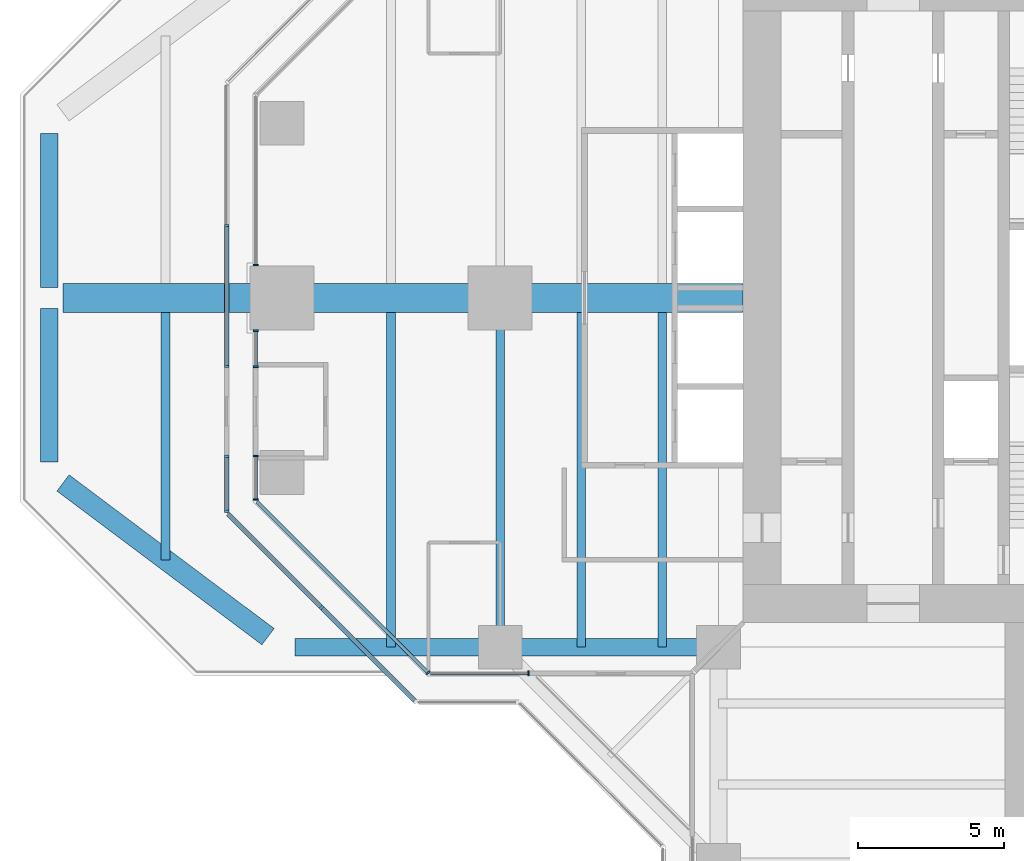
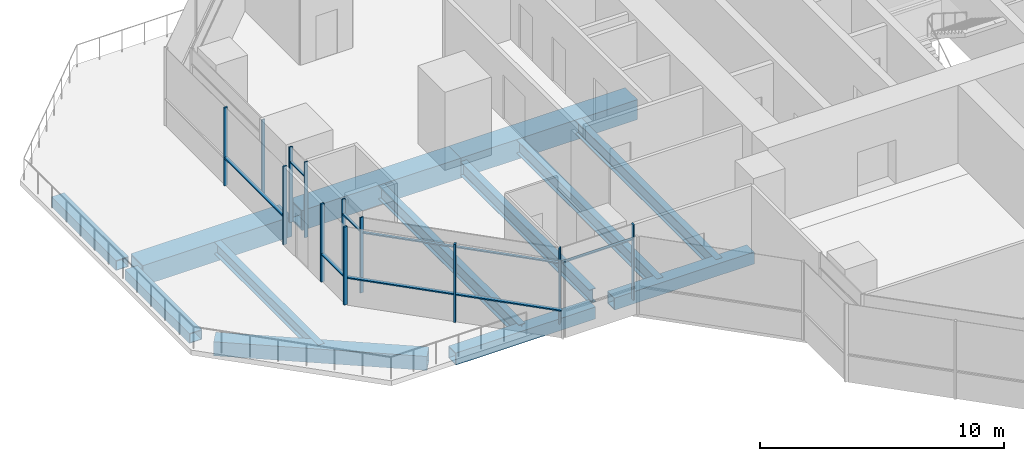
# One storey, part 3 of 19: 20 members, 13 beams, 8 elements without a shape of their own.
"""IFC4 building model written with IfcOpenShell, lengths in metres."""

from ifc_helpers import new_model, si_unit, direction, frame, origin, origin_2d, place, context, subcontext, project, spatial, rectangle, hollow_rectangle, i_section, extrude, material, material_profile, profile_set, type_object, element, aggregate, save


model = new_model("IFC4")

# Units and contexts
model_context = context("Model", 3, precision=1e-05, world=origin(), true_north=direction((0.0, 1.0)))
body_context = subcontext(model_context, "Body", "Model", "MODEL_VIEW")
ifc_project = project(units=[si_unit("LENGTHUNIT", "METRE"), si_unit("AREAUNIT", "SQUARE_METRE"), si_unit("VOLUMEUNIT", "CUBIC_METRE"), si_unit("PLANEANGLEUNIT", "RADIAN"), si_unit("MASSUNIT", "GRAM", prefix="KILO")], contexts=[model_context])

# Site, building, storey
site_placement = place(None, origin())
site = spatial("IfcSite", under=ifc_project, at=site_placement, CompositionType="ELEMENT")
building_placement = place(site_placement, origin())
building = spatial("IfcBuilding", under=site, at=building_placement, Name="Mizan Broadcast Tower", CompositionType="ELEMENT")
storey_placement = place(building_placement, frame((0.0, 0.0, 204.89990234375)))
storey = spatial("IfcBuildingStorey", under=building, at=storey_placement, Name="L47", CompositionType="ELEMENT", Elevation=204.89990234375)

# Beams
ifc_material_1 = material(Name="Steel S355", Category="steel")
ifc_material_profile_1 = material_profile(ifc_material_1, hollow_rectangle(XDim=0.60009765625, YDim=0.5, WallThickness=0.030029296875, at=origin_2d()), Name="BOX 500x600x30")
ifc_profile_set_1 = profile_set([ifc_material_profile_1], Name="Steel S355")
beam_type_1 = type_object("IfcBeamType", Name="EDGE BEAM BOX 500x600x30", PredefinedType="SPANDREL", material=ifc_profile_set_1)
for number, where, z_axis, x_axis, name in (
    (1, (-35.0, 5.639892578125, -0.5), (0.0, -1.0, 0.0), (1.0, 0.0, 0.0), "Edge beam BOX 500x600x30 L47 west arm"),
    (2, (-35.0, -5.639892578125, -0.5), (0.0, 1.0, 0.0), (-1.0, 0.0, 0.0), "Edge beam BOX 500x600x30 L47 west arm"),
):
    element("IfcBeam", number, at=place(storey_placement, frame(where, z_axis=z_axis, x_axis=x_axis)), inside=storey, type_object=beam_type_1, Name=name, PredefinedType="SPANDREL", context=body_context, shape_type="SweptSolid", body=[
        extrude(hollow_rectangle(XDim=0.60009765625, YDim=0.5, WallThickness=0.030029296875, at=origin_2d()), origin(), (0.0, 0.0, 1.0), 5.27978515625),
    ])
ifc_material_2 = material(Name="Steel S355", Category="steel")
ifc_material_profile_2 = material_profile(ifc_material_2, hollow_rectangle(XDim=0.60009765625, YDim=0.60009765625, WallThickness=0.0400390625, at=origin_2d()), Name="BOX 600x600x40")
ifc_profile_set_2 = profile_set([ifc_material_profile_2], Name="Steel S355")
beam_type_2 = type_object("IfcBeamType", Name="EDGE BEAM BOX 600x600x40", PredefinedType="SPANDREL", material=ifc_profile_set_2)
for number, where, z_axis, x_axis, name in (
    (3, (-12.449951171875, -12.0, -0.429931640625), (-1.0, 0.0, 0.0), (0.0, -1.0, 0.0), "Edge beam BOX 600x600x40 L47 west arm"),
    (4, (-19.949951171875, -12.0, -0.5498046875), (-1.0, 0.0, 0.0), (0.0, -1.0, 0.0), "Edge beam BOX 600x600x40 L47 west arm"),
):
    element("IfcBeam", number, at=place(storey_placement, frame(where, z_axis=z_axis, x_axis=x_axis)), inside=storey, type_object=beam_type_2, Name=name, PredefinedType="SPANDREL", context=body_context, shape_type="SweptSolid", body=[
        extrude(hollow_rectangle(XDim=0.60009765625, YDim=0.60009765625, WallThickness=0.0400390625, at=origin_2d()), origin(), (0.0, 0.0, 1.0), 6.60009765625),
    ])
ifc_material_3 = material(Name="Steel S355", Category="steel")
ifc_material_profile_3 = material_profile(ifc_material_3, hollow_rectangle(XDim=0.699951171875, YDim=0.699951171875, WallThickness=0.0400390625, at=origin_2d()), Name="BOX 700x700x40")
ifc_profile_set_3 = profile_set([ifc_material_profile_3], Name="Steel S355")
beam_type_3 = type_object("IfcBeamType", Name="EDGE BEAM BOX 700x700x40", PredefinedType="SPANDREL", material=ifc_profile_set_3)
beam_1_placement = place(storey_placement, frame((-27.47998046875, -11.639892578125, -0.599853515625), z_axis=(-0.800013316712, 0.599982243973, 0.0), x_axis=(-0.599982243973, -0.800013316712, 0.0)))
element("IfcBeam", 5, at=beam_1_placement, inside=storey, type_object=beam_type_3, Name="Edge beam BOX 700x700x40 L47 west arm", PredefinedType="SPANDREL", context=body_context, shape_type="SweptSolid", body=[
    extrude(hollow_rectangle(XDim=0.699951171875, YDim=0.699951171875, WallThickness=0.0400390625, at=origin_2d()), origin(), (0.0, 0.0, 1.0), 8.7998046875),
])
ifc_material_4 = material(Name="Steel S460", Category="steel")
ifc_material_profile_4 = material_profile(ifc_material_4, hollow_rectangle(XDim=1.0, YDim=1.0, WallThickness=0.080078125, at=origin_2d()), Name="BOX 1000x1000x80")
ifc_profile_set_4 = profile_set([ifc_material_profile_4], Name="Steel S460")
beam_type_4 = type_object("IfcBeamType", Name="GIRDER BOX 1000x1000x80", PredefinedType="BEAM", material=ifc_profile_set_4)
beam_2_placement = place(storey_placement, frame((-27.47998046875, 0.0, -0.75), z_axis=(-1.0, 0.0, 0.0), x_axis=(0.0, -1.0, 0.0)))
element("IfcBeam", 6, at=beam_2_placement, inside=storey, type_object=beam_type_4, Name="Girder BOX 1000x1000x80 L47 west arm", PredefinedType="BEAM", context=body_context, shape_type="SweptSolid", body=[
    extrude(hollow_rectangle(XDim=1.0, YDim=1.0, WallThickness=0.080078125, at=origin_2d()), origin(), (0.0, 0.0, 1.0), 7.0400390625),
])
ifc_material_5 = material(Name="Steel S355", Category="steel")
ifc_material_profile_5 = material_profile(ifc_material_5, i_section(OverallWidth=0.300048828125, OverallDepth=0.68994140625, WebThickness=0.014404296875, FlangeThickness=0.027099609375, FilletRadius=0.027099609375, at=origin_2d()), Name="HEA 700")
ifc_profile_set_5 = profile_set([ifc_material_profile_5], Name="Steel S355")
beam_type_5 = type_object("IfcBeamType", Name="GIRDER HEA 700", PredefinedType="BEAM", material=ifc_profile_set_5)
beam_3_placement = place(storey_placement, frame((-19.5, -11.280029296875, -0.474853515625), z_axis=(0.0, 1.0, 0.0), x_axis=(-1.0, 0.0, 0.0)))
element("IfcBeam", 7, at=beam_3_placement, inside=storey, type_object=beam_type_5, Name="Girder HEA 700 L47 west arm", PredefinedType="BEAM", context=body_context, shape_type="SweptSolid", body=[
    extrude(i_section(OverallWidth=0.300048828125, OverallDepth=0.68994140625, WebThickness=0.014404296875, FlangeThickness=0.027099609375, FilletRadius=0.027099609375, at=origin_2d()), origin(), (0.0, 0.0, 1.0), 10.56005859375),
])

# Curtain wall, member
ifc_material_6 = material(Name="Aluminium framed glazing", Category="aluminium")
curtain_wall_type_1 = type_object("IfcCurtainWallType", Name="INNER SKIN HIGH ZONE", PredefinedType="USERDEFINED", material=ifc_material_6)
curtain_wall_1_placement = place(storey_placement, origin())
curtain_wall_1 = element("IfcCurtainWall", 8, at=curtain_wall_1_placement, inside=storey, type_object=curtain_wall_type_1, Name="Inner skin high zone L47 W end", ObjectType="INNER SKIN HIGH ZONE", PredefinedType="USERDEFINED")
ifc_material_7 = material(Name="Aluminium, pale anodised", Category="aluminium")
ifc_material_profile_6 = material_profile(ifc_material_7, rectangle(XDim=0.159912109375, YDim=0.06005859375, at=origin_2d()), Name="MULLION 160x60")
ifc_profile_set_6 = profile_set([ifc_material_profile_6], Name="Aluminium, pale anodised")
member_type_1 = type_object("IfcMemberType", Name="INNER SKIN MULLION 60x160", PredefinedType="MULLION", material=ifc_profile_set_6)
member_1_placement = place(storey_placement, frame((-27.89990234375, 1.1298828125, 0.0), z_axis=(0.0, 0.0, 1.0), x_axis=(1.0, 0.0, 0.0)))
member_1 = element("IfcMember", 9, at=member_1_placement, type_object=member_type_1, Name="Inner skin high zone L47 W end mullion 2", PredefinedType="MULLION", context=body_context, shape_type="SweptSolid", body=[
    extrude(rectangle(XDim=0.159912109375, YDim=0.06005859375, at=origin_2d()), origin(), (0.0, 0.0, 1.0), 3.77001953125),
])
aggregate(curtain_wall_1, [member_1])

# Curtain wall, members
curtain_wall_2_placement = place(storey_placement, origin())
curtain_wall_2 = element("IfcCurtainWall", 10, at=curtain_wall_2_placement, inside=storey, type_object=curtain_wall_type_1, Name="Inner skin high zone L47 W end", ObjectType="INNER SKIN HIGH ZONE", PredefinedType="USERDEFINED")
member_2_placement = place(storey_placement, frame((-27.89990234375, -1.1298828125, 0.0), z_axis=(0.0, 0.0, 1.0), x_axis=(1.0, 0.0, 0.0)))
member_2 = element("IfcMember", 11, at=member_2_placement, type_object=member_type_1, Name="Inner skin high zone L47 W end mullion 1", PredefinedType="MULLION", context=body_context, shape_type="SweptSolid", body=[
    extrude(rectangle(XDim=0.159912109375, YDim=0.06005859375, at=origin_2d()), origin(), (0.0, 0.0, 1.0), 3.77001953125),
])
member_3_placement = place(storey_placement, frame((-27.89990234375, -2.3701171875, 0.0), z_axis=(0.0, 0.0, 1.0), x_axis=(1.0, 0.0, 0.0)))
member_3 = element("IfcMember", 12, at=member_3_placement, type_object=member_type_1, Name="Inner skin high zone L47 W end mullion 2", PredefinedType="MULLION", context=body_context, shape_type="SweptSolid", body=[
    extrude(rectangle(XDim=0.159912109375, YDim=0.06005859375, at=origin_2d()), origin(), (0.0, 0.0, 1.0), 3.77001953125),
])

curtain_wall_3_placement = place(storey_placement, origin())
curtain_wall_3 = element("IfcCurtainWall", 13, at=curtain_wall_3_placement, inside=storey, type_object=curtain_wall_type_1, Name="Inner skin high zone L47 W end", ObjectType="INNER SKIN HIGH ZONE", PredefinedType="USERDEFINED")
member_4_placement = place(storey_placement, frame((-27.89990234375, -5.429931640625, 0.0), z_axis=(0.0, 0.0, 1.0), x_axis=(1.0, 0.0, 0.0)))
member_4 = element("IfcMember", 14, at=member_4_placement, type_object=member_type_1, Name="Inner skin high zone L47 W end mullion 1", PredefinedType="MULLION", context=body_context, shape_type="SweptSolid", body=[
    extrude(rectangle(XDim=0.159912109375, YDim=0.06005859375, at=origin_2d()), origin(), (0.0, 0.0, 1.0), 3.77001953125),
])
member_5_placement = place(storey_placement, frame((-27.89990234375, -6.928466796875, 0.0), z_axis=(0.0, 0.0, 1.0), x_axis=(1.0, 0.0, 0.0)))
member_5 = element("IfcMember", 15, at=member_5_placement, type_object=member_type_1, Name="Inner skin high zone L47 W end mullion 2", PredefinedType="MULLION", context=body_context, shape_type="SweptSolid", body=[
    extrude(rectangle(XDim=0.159912109375, YDim=0.06005859375, at=origin_2d()), origin(), (0.0, 0.0, 1.0), 3.77001953125),
])

# Curtain wall, member
curtain_wall_4_placement = place(storey_placement, origin())
curtain_wall_4 = element("IfcCurtainWall", 16, at=curtain_wall_4_placement, inside=storey, type_object=curtain_wall_type_1, Name="Inner skin high zone L47 W chamfer", ObjectType="INNER SKIN HIGH ZONE", PredefinedType="USERDEFINED")
member_6_placement = place(storey_placement, frame((-21.979736328125, -12.87890625, 0.0), z_axis=(0.0, 0.0, 1.0), x_axis=(0.707106781187, 0.707106781187, 0.0)))
member_6 = element("IfcMember", 17, at=member_6_placement, type_object=member_type_1, Name="Inner skin high zone L47 W chamfer mullion 2", PredefinedType="MULLION", context=body_context, shape_type="SweptSolid", body=[
    extrude(rectangle(XDim=0.159912109375, YDim=0.06005859375, at=origin_2d()), origin(), (0.0, 0.0, 1.0), 3.77001953125),
])

curtain_wall_5_placement = place(storey_placement, origin())
curtain_wall_5 = element("IfcCurtainWall", 18, at=curtain_wall_5_placement, inside=storey, type_object=curtain_wall_type_1, Name="Inner skin high zone L47 W side", ObjectType="INNER SKIN HIGH ZONE", PredefinedType="USERDEFINED")
member_7_placement = place(storey_placement, frame((-18.530029296875, -12.89990234375, 0.0), z_axis=(0.0, 0.0, 1.0), x_axis=(0.0, 1.0, 0.0)))
member_7 = element("IfcMember", 19, at=member_7_placement, type_object=member_type_1, Name="Inner skin high zone L47 W side mullion 2", PredefinedType="MULLION", context=body_context, shape_type="SweptSolid", body=[
    extrude(rectangle(XDim=0.159912109375, YDim=0.06005859375, at=origin_2d()), origin(), (0.0, 0.0, 1.0), 3.77001953125),
])

# Member
ifc_material_8 = material(Name="Aluminium, pale anodised", Category="aluminium")
ifc_material_profile_7 = material_profile(ifc_material_8, rectangle(XDim=0.1201171875, YDim=0.06005859375, at=origin_2d()), Name="TRANSOM 120x60")
ifc_profile_set_7 = profile_set([ifc_material_profile_7], Name="Aluminium, pale anodised")
member_type_2 = type_object("IfcMemberType", Name="INNER SKIN TRANSOM 60x120", PredefinedType="USERDEFINED", material=ifc_profile_set_7)
member_8_placement = place(storey_placement, frame((-27.89990234375, -1.159912109375, 3.030029296875), z_axis=(0.0, -1.0, 0.0), x_axis=(1.0, 0.0, 0.0)))
member_8 = element("IfcMember", 20, at=member_8_placement, type_object=member_type_2, Name="Inner skin high zone L47 W end transom 1.1", ObjectType="TRANSOM", PredefinedType="USERDEFINED", context=body_context, shape_type="SweptSolid", body=[
    extrude(rectangle(XDim=0.1201171875, YDim=0.06005859375, at=origin_2d()), origin(), (0.0, 0.0, 1.0), 1.18017578125),
])

aggregate(curtain_wall_2, [member_2, member_3, member_8])

member_9_placement = place(storey_placement, frame((-27.89990234375, -5.4599609375, 3.030029296875), z_axis=(0.0, -1.0, 0.0), x_axis=(1.0, 0.0, 0.0)))
member_9 = element("IfcMember", 21, at=member_9_placement, type_object=member_type_2, Name="Inner skin high zone L47 W end transom 1.1", ObjectType="TRANSOM", PredefinedType="USERDEFINED", context=body_context, shape_type="SweptSolid", body=[
    extrude(rectangle(XDim=0.1201171875, YDim=0.06005859375, at=origin_2d()), origin(), (0.0, 0.0, 1.0), 1.438720703125),
])

aggregate(curtain_wall_3, [member_4, member_5, member_9])

member_10_placement = place(storey_placement, frame((-27.857666015625, -7.0009765625, 3.030029296875), z_axis=(0.707106781187, -0.707106781187, 0.0), x_axis=(0.707106781187, 0.707106781187, 0.0)))
member_10 = element("IfcMember", 22, at=member_10_placement, type_object=member_type_2, Name="Inner skin high zone L47 W chamfer transom 1.1", ObjectType="TRANSOM", PredefinedType="USERDEFINED", context=body_context, shape_type="SweptSolid", body=[
    extrude(rectangle(XDim=0.1201171875, YDim=0.06005859375, at=origin_2d()), origin(), (0.0, 0.0, 1.0), 8.28271484375),
])

aggregate(curtain_wall_4, [member_6, member_10])

member_11_placement = place(storey_placement, frame((-21.898681640625, -12.89990234375, 3.030029296875), z_axis=(1.0, 0.0, 0.0), x_axis=(0.0, 1.0, 0.0)))
member_11 = element("IfcMember", 23, at=member_11_placement, type_object=member_type_2, Name="Inner skin high zone L47 W side transom 1.1", ObjectType="TRANSOM", PredefinedType="USERDEFINED", context=body_context, shape_type="SweptSolid", body=[
    extrude(rectangle(XDim=0.1201171875, YDim=0.06005859375, at=origin_2d()), origin(), (0.0, 0.0, 1.0), 3.338623046875),
])

aggregate(curtain_wall_5, [member_7, member_11])

# Curtain wall, members
ifc_material_9 = material(Name="Aluminium framed glazing", Category="aluminium")
curtain_wall_type_2 = type_object("IfcCurtainWallType", Name="OUTER SKIN", PredefinedType="USERDEFINED", material=ifc_material_9)
curtain_wall_6_placement = place(storey_placement, origin())
curtain_wall_6 = element("IfcCurtainWall", 24, at=curtain_wall_6_placement, inside=storey, type_object=curtain_wall_type_2, Name="Outer skin L47 W end", ObjectType="OUTER SKIN", PredefinedType="USERDEFINED")
ifc_material_10 = material(Name="Aluminium, pale anodised", Category="aluminium")
ifc_material_profile_8 = material_profile(ifc_material_10, rectangle(XDim=0.159912109375, YDim=0.080078125, at=origin_2d()), Name="MULLION 160x80")
ifc_profile_set_8 = profile_set([ifc_material_profile_8], Name="Aluminium, pale anodised")
member_type_3 = type_object("IfcMemberType", Name="OUTER SKIN MULLION 80x160", PredefinedType="MULLION", material=ifc_profile_set_8)
member_12_placement = place(storey_placement, frame((-28.89990234375, 2.486328125, 0.0), z_axis=(0.0, 0.0, 1.0), x_axis=(1.0, 0.0, 0.0)))
member_12 = element("IfcMember", 25, at=member_12_placement, type_object=member_type_3, Name="Outer skin L47 W end mullion 2", PredefinedType="MULLION", context=body_context, shape_type="SweptSolid", body=[
    extrude(rectangle(XDim=0.159912109375, YDim=0.080078125, at=origin_2d()), origin(), (0.0, 0.0, 1.0), 3.900146484375),
])
member_13_placement = place(storey_placement, frame((-28.89990234375, -2.360107421875, 0.0), z_axis=(0.0, 0.0, 1.0), x_axis=(1.0, 0.0, 0.0)))
member_13 = element("IfcMember", 26, at=member_13_placement, type_object=member_type_3, Name="Outer skin L47 W end mullion 3", PredefinedType="MULLION", context=body_context, shape_type="SweptSolid", body=[
    extrude(rectangle(XDim=0.159912109375, YDim=0.080078125, at=origin_2d()), origin(), (0.0, 0.0, 1.0), 3.900146484375),
])

curtain_wall_7_placement = place(storey_placement, origin())
curtain_wall_7 = element("IfcCurtainWall", 27, at=curtain_wall_7_placement, inside=storey, type_object=curtain_wall_type_2, Name="Outer skin L47 W end", ObjectType="OUTER SKIN", PredefinedType="USERDEFINED")
member_14_placement = place(storey_placement, frame((-28.89990234375, -5.43994140625, 0.0), z_axis=(0.0, 0.0, 1.0), x_axis=(1.0, 0.0, 0.0)))
member_14 = element("IfcMember", 28, at=member_14_placement, type_object=member_type_3, Name="Outer skin L47 W end mullion 1", PredefinedType="MULLION", context=body_context, shape_type="SweptSolid", body=[
    extrude(rectangle(XDim=0.159912109375, YDim=0.080078125, at=origin_2d()), origin(), (0.0, 0.0, 1.0), 3.900146484375),
])
member_15_placement = place(storey_placement, frame((-28.89990234375, -7.332763671875, 0.0), z_axis=(0.0, 0.0, 1.0), x_axis=(1.0, 0.0, 0.0)))
member_15 = element("IfcMember", 29, at=member_15_placement, type_object=member_type_3, Name="Outer skin L47 W end mullion 2", PredefinedType="MULLION", context=body_context, shape_type="SweptSolid", body=[
    extrude(rectangle(XDim=0.159912109375, YDim=0.080078125, at=origin_2d()), origin(), (0.0, 0.0, 1.0), 3.900146484375),
])

# Curtain wall, member
curtain_wall_8_placement = place(storey_placement, origin())
curtain_wall_8 = element("IfcCurtainWall", 30, at=curtain_wall_8_placement, inside=storey, type_object=curtain_wall_type_2, Name="Outer skin L47 W chamfer", ObjectType="OUTER SKIN", PredefinedType="USERDEFINED")
member_16_placement = place(storey_placement, frame((-25.636474609375, -10.636474609375, 0.0), z_axis=(0.0, 0.0, 1.0), x_axis=(0.707106781187, 0.707106781187, 0.0)))
member_16 = element("IfcMember", 31, at=member_16_placement, type_object=member_type_3, Name="Outer skin L47 W chamfer mullion 2", PredefinedType="MULLION", context=body_context, shape_type="SweptSolid", body=[
    extrude(rectangle(XDim=0.159912109375, YDim=0.080078125, at=origin_2d()), origin(), (0.0, 0.0, 1.0), 3.900146484375),
])

# Member
ifc_material_11 = material(Name="Aluminium, pale anodised", Category="aluminium")
ifc_material_profile_9 = material_profile(ifc_material_11, rectangle(XDim=0.159912109375, YDim=0.06005859375, at=origin_2d()), Name="TRANSOM 160x60")
ifc_profile_set_9 = profile_set([ifc_material_profile_9], Name="Aluminium, pale anodised")
member_type_4 = type_object("IfcMemberType", Name="OUTER SKIN TRANSOM 60x160", PredefinedType="USERDEFINED", material=ifc_profile_set_9)
member_17_placement = place(storey_placement, frame((-28.89990234375, 2.4462890625, 1.400146484375), z_axis=(0.0, -1.0, 0.0), x_axis=(1.0, 0.0, 0.0)))
member_17 = element("IfcMember", 32, at=member_17_placement, type_object=member_type_4, Name="Outer skin L47 W end transom 2.1", ObjectType="TRANSOM", PredefinedType="USERDEFINED", context=body_context, shape_type="SweptSolid", body=[
    extrude(rectangle(XDim=0.159912109375, YDim=0.06005859375, at=origin_2d()), origin(), (0.0, 0.0, 1.0), 4.766357421875),
])

aggregate(curtain_wall_6, [member_12, member_13, member_17])

member_18_placement = place(storey_placement, frame((-28.89990234375, -5.47998046875, 1.400146484375), z_axis=(0.0, -1.0, 0.0), x_axis=(1.0, 0.0, 0.0)))
member_18 = element("IfcMember", 33, at=member_18_placement, type_object=member_type_4, Name="Outer skin L47 W end transom 1.1", ObjectType="TRANSOM", PredefinedType="USERDEFINED", context=body_context, shape_type="SweptSolid", body=[
    extrude(rectangle(XDim=0.159912109375, YDim=0.06005859375, at=origin_2d()), origin(), (0.0, 0.0, 1.0), 1.812744140625),
])

aggregate(curtain_wall_7, [member_14, member_15, member_18])

member_19_placement = place(storey_placement, frame((-28.843505859375, -7.429443359375, 1.400146484375), z_axis=(0.707106781187, -0.707106781187, 0.0), x_axis=(0.707106781187, 0.707106781187, 0.0)))
member_19 = element("IfcMember", 34, at=member_19_placement, type_object=member_type_4, Name="Outer skin L47 W chamfer transom 1.1", ObjectType="TRANSOM", PredefinedType="USERDEFINED", context=body_context, shape_type="SweptSolid", body=[
    extrude(rectangle(XDim=0.159912109375, YDim=0.06005859375, at=origin_2d()), origin(), (0.0, 0.0, 1.0), 4.495361328125),
])

member_20_placement = place(storey_placement, frame((-25.608154296875, -10.664794921875, 1.400146484375), z_axis=(0.707106781187, -0.707106781187, 0.0), x_axis=(0.707106781187, 0.707106781187, 0.0)))
member_20 = element("IfcMember", 35, at=member_20_placement, type_object=member_type_4, Name="Outer skin L47 W chamfer transom 2.1", ObjectType="TRANSOM", PredefinedType="USERDEFINED", context=body_context, shape_type="SweptSolid", body=[
    extrude(rectangle(XDim=0.159912109375, YDim=0.06005859375, at=origin_2d()), origin(), (0.0, 0.0, 1.0), 4.495361328125),
])

aggregate(curtain_wall_8, [member_16, member_19, member_20])

# Beams
ifc_material_12 = material(Name="Steel S460", Category="steel")
ifc_material_profile_10 = material_profile(ifc_material_12, hollow_rectangle(XDim=1.0, YDim=1.0, WallThickness=0.080078125, at=origin_2d()), Name="BOX 1000x1000x80")
ifc_profile_set_10 = profile_set([ifc_material_profile_10], Name="Steel S460")
beam_type_6 = type_object("IfcBeamType", Name="OUTRIGGER TRUSS OT3 CHORD BOX 1000x1000x80", PredefinedType="BEAM", material=ifc_profile_set_10)
beam_4_placement = place(storey_placement, frame((-11.14990234375, 0.0, -0.6298828125), z_axis=(-1.0, 0.0, 0.0), x_axis=(0.0, -1.0, 0.0)))
element("IfcBeam", 36, at=beam_4_placement, inside=storey, type_object=beam_type_6, Name="Outrigger truss OT3-W top chord 1", PredefinedType="BEAM", context=body_context, shape_type="SweptSolid", body=[
    extrude(hollow_rectangle(XDim=1.0, YDim=1.0, WallThickness=0.080078125, at=origin_2d()), origin(), (0.0, 0.0, 1.0), 8.35009765625),
])
beam_5_placement = place(storey_placement, frame((-19.5, 0.0, -0.6298828125), z_axis=(-1.0, 0.0, 0.0), x_axis=(0.0, -1.0, 0.0)))
element("IfcBeam", 37, at=beam_5_placement, inside=storey, type_object=beam_type_6, Name="Outrigger truss OT3-W top chord 2", PredefinedType="BEAM", context=body_context, shape_type="SweptSolid", body=[
    extrude(hollow_rectangle(XDim=1.0, YDim=1.0, WallThickness=0.080078125, at=origin_2d()), origin(), (0.0, 0.0, 1.0), 7.5),
])
ifc_material_13 = material(Name="Steel S355", Category="steel")
ifc_material_profile_11 = material_profile(ifc_material_13, i_section(OverallWidth=0.300048828125, OverallDepth=0.590087890625, WebThickness=0.012939453125, FlangeThickness=0.02490234375, FilletRadius=0.027099609375, at=origin_2d()), Name="HEA 600")
ifc_profile_set_11 = profile_set([ifc_material_profile_11], Name="Steel S355")
beam_type_7 = type_object("IfcBeamType", Name="SECONDARY BEAM HEA 600", PredefinedType="JOIST", material=ifc_profile_set_11)
beam_6_placement = place(storey_placement, frame((-31.0, -9.0, -0.544921875), z_axis=(0.0, 1.0, 0.0), x_axis=(-1.0, 0.0, 0.0)))
element("IfcBeam", 38, at=beam_6_placement, inside=storey, type_object=beam_type_7, Name="Secondary beam HEA 600 L47 west arm", PredefinedType="JOIST", context=body_context, shape_type="SweptSolid", body=[
    extrude(i_section(OverallWidth=0.300048828125, OverallDepth=0.590087890625, WebThickness=0.012939453125, FlangeThickness=0.02490234375, FilletRadius=0.027099609375, at=origin_2d()), origin(), (0.0, 0.0, 1.0), 8.5),
])
ifc_material_14 = material(Name="Steel S355", Category="steel")
ifc_material_profile_12 = material_profile(ifc_material_14, i_section(OverallWidth=0.300048828125, OverallDepth=0.68994140625, WebThickness=0.014404296875, FlangeThickness=0.027099609375, FilletRadius=0.027099609375, at=origin_2d()), Name="HEA 700")
ifc_profile_set_12 = profile_set([ifc_material_profile_12], Name="Steel S355")
beam_type_8 = type_object("IfcBeamType", Name="SECONDARY BEAM HEA 700", PredefinedType="JOIST", material=ifc_profile_set_12)
for number, where, z_axis, x_axis, name in (
    (39, (-13.933349609375, -12.0, -0.474853515625), (0.0, 1.0, 0.0), (-1.0, 0.0, 0.0), "Secondary beam HEA 700 L47 west arm"),
    (40, (-16.716552734375, -12.0, -0.474853515625), (0.0, 1.0, 0.0), (-1.0, 0.0, 0.0), "Secondary beam HEA 700 L47 west arm"),
    (41, (-23.25, -12.0, -0.474853515625), (0.0, 1.0, 0.0), (-1.0, 0.0, 0.0), "Secondary beam HEA 700 L47 west arm"),
):
    element("IfcBeam", number, at=place(storey_placement, frame(where, z_axis=z_axis, x_axis=x_axis)), inside=storey, type_object=beam_type_8, Name=name, PredefinedType="JOIST", context=body_context, shape_type="SweptSolid", body=[
        extrude(i_section(OverallWidth=0.300048828125, OverallDepth=0.68994140625, WebThickness=0.014404296875, FlangeThickness=0.027099609375, FilletRadius=0.027099609375, at=origin_2d()), origin(), (0.0, 0.0, 1.0), 11.5),
    ])

save(model, "model.ifc")
